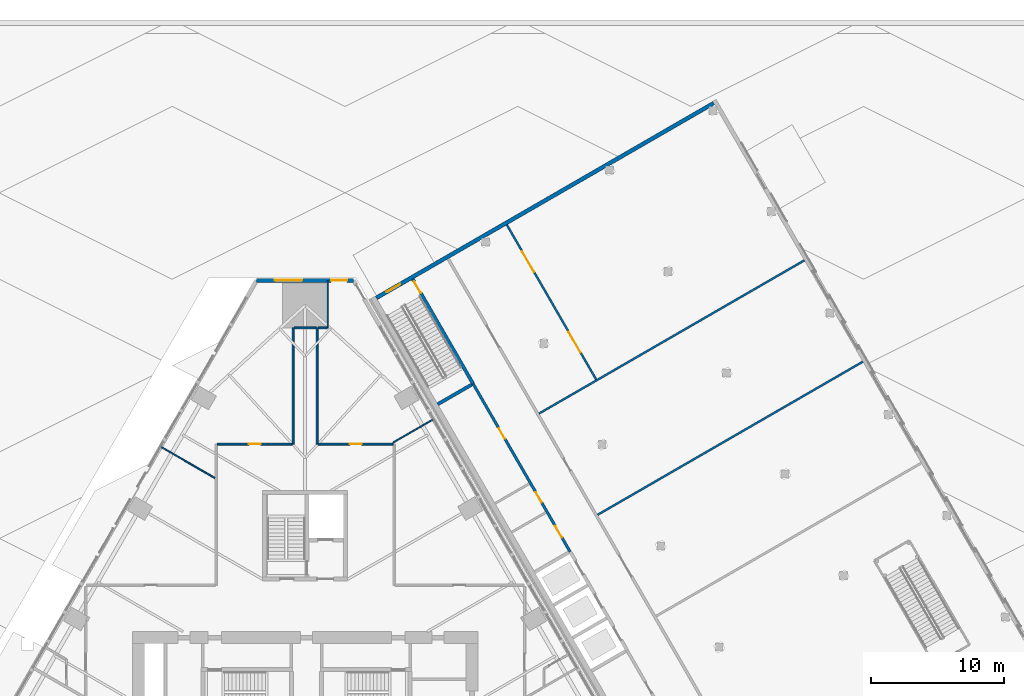
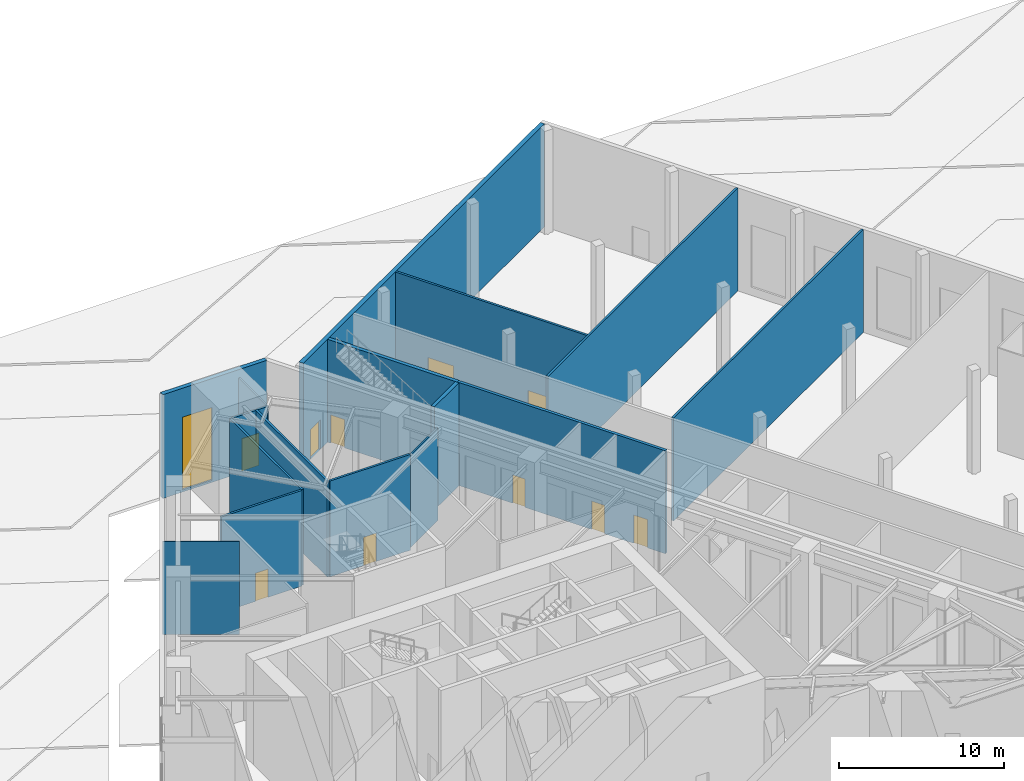
# One storey, part 18 of 34: 17 walls, 10 doors, 1 window, 11 openings.
"""IFC4 building model written with IfcOpenShell, lengths in metres."""

from ifc_helpers import new_model, si_unit, direction, frame, frame_2d, origin, place, context, subcontext, project, spatial, rectangle, extrude, material, layer, layer_set, type_object, element, fill, save


model = new_model("IFC4")

# Units and contexts
model_context = context("Model", 3, precision=1e-05, world=origin(), true_north=direction((0.0, 1.0)))
body_context = subcontext(model_context, "Body", "Model", "MODEL_VIEW")
ifc_project = project(units=[si_unit("LENGTHUNIT", "METRE"), si_unit("AREAUNIT", "SQUARE_METRE"), si_unit("VOLUMEUNIT", "CUBIC_METRE"), si_unit("PLANEANGLEUNIT", "RADIAN"), si_unit("MASSUNIT", "GRAM", prefix="KILO")], contexts=[model_context])

# Site, building, storey
site_placement = place(None, origin())
site = spatial("IfcSite", under=ifc_project, at=site_placement, CompositionType="ELEMENT")
building_placement = place(site_placement, origin())
building = spatial("IfcBuilding", under=site, at=building_placement, Name="Firuza Gate Tower and Library", CompositionType="ELEMENT")
storey_placement = place(building_placement, origin())
storey = spatial("IfcBuildingStorey", under=building, at=storey_placement, Name="L00", CompositionType="ELEMENT", Elevation=0.0)

# Wall, opening, door
ifc_material_1 = material(Name="Gypsum board partition")
ifc_layer_1 = layer(ifc_material_1, 0.14990234375)
ifc_layer_set_1 = layer_set([ifc_layer_1], Name="Corridor wall 150 double board on steel studs")
wall_type_1 = type_object("IfcWallType", Name="Corridor wall 150 double board on steel studs", PredefinedType="PARTITIONING", material=ifc_layer_set_1)
wall_1_placement = place(storey_placement, frame((68.37548828125, 98.10009765625, 0.0), z_axis=(0.0, 0.0, 1.0), x_axis=(1.0, 0.0, 0.0)))
wall_1 = element("IfcWall", 1, at=wall_1_placement, inside=storey, type_object=wall_type_1, Name="f:L00:w002", PredefinedType="PARTITIONING", context=body_context, shape_type="SweptSolid", body=[
    extrude(rectangle(XDim=5.6494140625, YDim=0.14990234375, at=frame_2d((2.82470703125, 0.0))), origin(), (0.0, 0.0, 1.0), 7.10009765625),
])
opening_1_placement = place(wall_1_placement, frame((2.374755859375, 0.0, 0.0)))
opening_1 = element("IfcOpeningElement", 2, at=opening_1_placement, cuts=wall_1, Name="Opening L00-03", PredefinedType="OPENING", context=body_context, shape_type="SweptSolid", body=[
    extrude(rectangle(XDim=0.89990234375, YDim=2.10009765625, at=frame_2d((0.449951171875, 1.050048828125))), frame((0.0, 0.0849609375, 0.0), z_axis=(0.0, -1.0, 0.0), x_axis=(1.0, 0.0, 0.0)), (0.0, 0.0, 1.0), 0.169921875),
])
ifc_material_2 = material(Name="Steel door and timber leaf", Category="steel")
door_type_1 = type_object("IfcDoorType", Name="Fire door 900 x 2100 steel frame, timber leaf", OperationType="NOTDEFINED", PredefinedType="DOOR", material=ifc_material_2)
door_1_placement = place(opening_1_placement, origin())
door_1 = element("IfcDoor", 3, at=door_1_placement, inside=storey, type_object=door_type_1, Name="f:L00:d003", OperationType="SINGLE_SWING_RIGHT", OverallHeight=2.10009765625, OverallWidth=0.89990234375, PredefinedType="DOOR", context=body_context, shape_type="SweptSolid", body=[
    extrude(rectangle(XDim=0.89990234375, YDim=2.10009765625, at=frame_2d((0.449951171875, 1.050048828125))), frame((0.0, 0.02490234375, 0.0), z_axis=(0.0, -1.0, 0.0), x_axis=(1.0, 0.0, 0.0)), (0.0, 0.0, 1.0), 0.050048828125),
])
fill(opening_1, door_1)

wall_2_placement = place(storey_placement, frame((75.97509765625, 98.10009765625, 0.0), z_axis=(0.0, 0.0, 1.0), x_axis=(1.0, 0.0, 0.0)))
wall_2 = element("IfcWall", 4, at=wall_2_placement, inside=storey, type_object=wall_type_1, Name="f:L00:w003", PredefinedType="PARTITIONING", context=body_context, shape_type="SweptSolid", body=[
    extrude(rectangle(XDim=5.6494140625, YDim=0.14990234375, at=frame_2d((2.82470703125, 0.0))), origin(), (0.0, 0.0, 1.0), 7.10009765625),
])
opening_2_placement = place(wall_2_placement, frame((2.37060546875, 0.0, 0.0)))
opening_2 = element("IfcOpeningElement", 5, at=opening_2_placement, cuts=wall_2, Name="Opening L00-04", PredefinedType="OPENING", context=body_context, shape_type="SweptSolid", body=[
    extrude(rectangle(XDim=0.89990234375, YDim=2.10009765625, at=frame_2d((0.449951171875, 1.050048828125))), frame((0.0, 0.0849609375, 0.0), z_axis=(0.0, -1.0, 0.0), x_axis=(1.0, 0.0, 0.0)), (0.0, 0.0, 1.0), 0.169921875),
])
door_2_placement = place(opening_2_placement, origin())
door_2 = element("IfcDoor", 6, at=door_2_placement, inside=storey, type_object=door_type_1, Name="f:L00:d004", OperationType="SINGLE_SWING_LEFT", OverallHeight=2.10009765625, OverallWidth=0.89990234375, PredefinedType="DOOR", context=body_context, shape_type="SweptSolid", body=[
    extrude(rectangle(XDim=0.89990234375, YDim=2.10009765625, at=frame_2d((0.449951171875, 1.050048828125))), frame((0.0, 0.02490234375, 0.0), z_axis=(0.0, -1.0, 0.0), x_axis=(1.0, 0.0, 0.0)), (0.0, 0.0, 1.0), 0.050048828125),
])
fill(opening_2, door_2)

# Walls
wall_3_placement = place(storey_placement, frame((74.175537109375, 106.833984375, 0.0), z_axis=(0.0, 0.0, 1.0), x_axis=(1.0, 0.0, 0.0)))
element("IfcWall", 7, at=wall_3_placement, inside=storey, type_object=wall_type_1, Name="f:L00:w004", PredefinedType="PARTITIONING", context=body_context, shape_type="SweptSolid", body=[
    extrude(rectangle(XDim=1.6494140625, YDim=0.14990234375, at=frame_2d((0.82470703125, 0.0))), origin(), (0.0, 0.0, 1.0), 7.096923828125),
])
wall_4_placement = place(storey_placement, frame((75.89990234375, 98.10009765625, 0.0), z_axis=(0.0, 0.0, 1.0), x_axis=(0.0, 1.0, 0.0)))
element("IfcWall", 8, at=wall_4_placement, inside=storey, type_object=wall_type_1, Name="f:L00:w020", PredefinedType="PARTITIONING", context=body_context, shape_type="SweptSolid", body=[
    extrude(rectangle(XDim=8.733642578125, YDim=0.14990234375, at=frame_2d((4.36669921875, 0.0))), origin(), (0.0, 0.0, 1.0), 7.10009765625),
])
wall_5_placement = place(storey_placement, frame((74.10009765625, 98.10009765625, 0.0), z_axis=(0.0, 0.0, 1.0), x_axis=(0.0, 1.0, 0.0)))
element("IfcWall", 9, at=wall_5_placement, inside=storey, type_object=wall_type_1, Name="f:L00:w021", PredefinedType="PARTITIONING", context=body_context, shape_type="SweptSolid", body=[
    extrude(rectangle(XDim=8.733154296875, YDim=0.14990234375, at=frame_2d((4.36669921875, 0.0))), origin(), (0.0, 0.0, 1.0), 7.10009765625),
])
wall_6_placement = place(storey_placement, frame((75.97509765625, 106.833984375, 0.0), z_axis=(0.0, 0.0, 1.0), x_axis=(1.0, 0.0, 0.0)))
element("IfcWall", 10, at=wall_6_placement, inside=storey, type_object=wall_type_1, Name="f:L00:w037", PredefinedType="PARTITIONING", context=body_context, shape_type="SweptSolid", body=[
    extrude(rectangle(XDim=0.67431640625, YDim=0.14990234375, at=frame_2d((0.337158203125, 0.0))), origin(), (0.0, 0.0, 1.0), 7.10009765625),
])

# Wall, openings, doors
ifc_material_3 = material(Name="Masonry block", Category="masonry")
ifc_layer_2 = layer(ifc_material_3, 0.199951171875)
ifc_layer_set_2 = layer_set([ifc_layer_2], Name="LIB CORRIDOR WALL 200")
wall_type_2 = type_object("IfcWallType", Name="LIB CORRIDOR WALL 200", PredefinedType="PARTITIONING", material=ifc_layer_set_2)
wall_7_placement = place(storey_placement, frame((94.929931640625, 89.99951171875, 0.0), z_axis=(0.0, 0.0, 1.0), x_axis=(-0.499997667785, 0.866026750285, 0.0)))
wall_7 = element("IfcWall", 11, at=wall_7_placement, inside=storey, type_object=wall_type_2, Name="L00 corr wall 7", PredefinedType="PARTITIONING", context=body_context, shape_type="SweptSolid", body=[
    extrude(rectangle(XDim=14.58984375, YDim=0.199951171875, at=frame_2d((7.294921875, 0.0))), origin(), (0.0, 0.0, 1.0), 7.639892578125),
])
opening_3_placement = place(wall_7_placement, frame((1.235107421875, 0.0, 0.0)))
opening_3 = element("IfcOpeningElement", 12, at=opening_3_placement, cuts=wall_7, Name="Opening LIB-D2-001", PredefinedType="OPENING", context=body_context, shape_type="SweptSolid", body=[
    extrude(rectangle(XDim=1.0, YDim=2.10009765625, at=frame_2d((0.5, 1.050048828125))), frame((0.0, 0.10986328125, 0.0), z_axis=(0.0, -1.0, 0.0), x_axis=(1.0, 0.0, 0.0)), (0.0, 0.0, 1.0), 0.219970703125),
])
opening_4_placement = place(wall_7_placement, frame((4.27490234375, 0.0, 0.0)))
opening_4 = element("IfcOpeningElement", 13, at=opening_4_placement, cuts=wall_7, Name="Opening LIB-D1-003", PredefinedType="OPENING", context=body_context, shape_type="SweptSolid", body=[
    extrude(rectangle(XDim=0.89990234375, YDim=2.10009765625, at=frame_2d((0.449951171875, 1.050048828125))), frame((0.0, 0.10986328125, 0.0), z_axis=(0.0, -1.0, 0.0), x_axis=(1.0, 0.0, 0.0)), (0.0, 0.0, 1.0), 0.219970703125),
])
opening_5_placement = place(wall_7_placement, frame((9.824951171875, 0.0, 0.0)))
opening_5 = element("IfcOpeningElement", 14, at=opening_5_placement, cuts=wall_7, Name="Opening LIB-D1-004", PredefinedType="OPENING", context=body_context, shape_type="SweptSolid", body=[
    extrude(rectangle(XDim=0.89990234375, YDim=2.10009765625, at=frame_2d((0.449951171875, 1.050048828125))), frame((0.0, 0.10986328125, 0.0), z_axis=(0.0, -1.0, 0.0), x_axis=(1.0, 0.0, 0.0)), (0.0, 0.0, 1.0), 0.219970703125),
])
ifc_material_4 = material(Name="Timber door leaf", Category="wood")
door_type_2 = type_object("IfcDoorType", Name="LIB DOOR 1000", OperationType="NOTDEFINED", PredefinedType="DOOR", material=ifc_material_4)
door_3_placement = place(opening_3_placement, origin())
door_3 = element("IfcDoor", 15, at=door_3_placement, inside=storey, type_object=door_type_2, Name="L00 door 5", OperationType="SINGLE_SWING_LEFT", OverallHeight=2.10009765625, OverallWidth=1.0, PredefinedType="DOOR", context=body_context, shape_type="SweptSolid", body=[
    extrude(rectangle(XDim=1.0, YDim=2.10009765625, at=frame_2d((0.5, 1.050048828125))), frame((0.0, 0.02490234375, 0.0), z_axis=(0.0, -1.0, 0.0), x_axis=(1.0, 0.0, 0.0)), (0.0, 0.0, 1.0), 0.050048828125),
])
fill(opening_3, door_3)
ifc_material_5 = material(Name="Timber door leaf", Category="wood")
door_type_3 = type_object("IfcDoorType", Name="LIB DOOR 900", OperationType="NOTDEFINED", PredefinedType="DOOR", material=ifc_material_5)
door_4_placement = place(opening_4_placement, origin())
door_4 = element("IfcDoor", 16, at=door_4_placement, inside=storey, type_object=door_type_3, Name="L00 door 6", OperationType="SINGLE_SWING_RIGHT", OverallHeight=2.10009765625, OverallWidth=0.89990234375, PredefinedType="DOOR", context=body_context, shape_type="SweptSolid", body=[
    extrude(rectangle(XDim=0.89990234375, YDim=2.10009765625, at=frame_2d((0.449951171875, 1.050048828125))), frame((0.0, 0.02490234375, 0.0), z_axis=(0.0, -1.0, 0.0), x_axis=(1.0, 0.0, 0.0)), (0.0, 0.0, 1.0), 0.050048828125),
])
fill(opening_4, door_4)
door_5_placement = place(opening_5_placement, origin())
door_5 = element("IfcDoor", 17, at=door_5_placement, inside=storey, type_object=door_type_3, Name="L00 door 10", OperationType="SINGLE_SWING_RIGHT", OverallHeight=2.10009765625, OverallWidth=0.89990234375, PredefinedType="DOOR", context=body_context, shape_type="SweptSolid", body=[
    extrude(rectangle(XDim=0.89990234375, YDim=2.10009765625, at=frame_2d((0.449951171875, 1.050048828125))), frame((0.0, 0.02490234375, 0.0), z_axis=(0.0, -1.0, 0.0), x_axis=(1.0, 0.0, 0.0)), (0.0, 0.0, 1.0), 0.050048828125),
])
fill(opening_5, door_5)

# Wall, opening, door
ifc_material_6 = material(Name="Concrete C30/37", Category="concrete")
ifc_layer_3 = layer(ifc_material_6, 0.300048828125)
ifc_layer_set_3 = layer_set([ifc_layer_3], Name="LIB EXTERNAL WALL 300")
wall_type_3 = type_object("IfcWallType", Name="LIB EXTERNAL WALL 300", PredefinedType="SOLIDWALL", material=ifc_layer_set_3)
wall_8_placement = place(storey_placement, frame((80.3544921875, 109.09521484375, 0.0), z_axis=(0.0, 0.0, 1.0), x_axis=(0.866026568746, 0.499997982221, 0.0)))
wall_8 = element("IfcWall", 18, at=wall_8_placement, inside=storey, type_object=wall_type_3, Name="L00 north wall", PredefinedType="SOLIDWALL", context=body_context, shape_type="SweptSolid", body=[
    extrude(rectangle(XDim=29.2998046875, YDim=0.300048828125, at=frame_2d((14.64990234375, 0.0))), origin(), (0.0, 0.0, 1.0), 7.639892578125),
])
opening_6_placement = place(wall_8_placement, frame((0.875, 0.0, 0.0)))
opening_6 = element("IfcOpeningElement", 19, at=opening_6_placement, cuts=wall_8, Name="Opening LIB-D5-001", PredefinedType="OPENING", context=body_context, shape_type="SweptSolid", body=[
    extrude(rectangle(XDim=1.199951171875, YDim=2.199951171875, at=frame_2d((0.60009765625, 1.10009765625))), frame((0.0, 0.16015625, 0.0), z_axis=(0.0, -1.0, 0.0), x_axis=(1.0, 0.0, 0.0)), (0.0, 0.0, 1.0), 0.320068359375),
])
ifc_material_7 = material(Name="Steel S235 door leaf", Category="steel")
door_type_4 = type_object("IfcDoorType", Name="LIB EXIT DOOR 1200", OperationType="NOTDEFINED", PredefinedType="DOOR", material=ifc_material_7)
door_6_placement = place(opening_6_placement, origin())
door_6 = element("IfcDoor", 20, at=door_6_placement, inside=storey, type_object=door_type_4, Name="L00 exit door A", OperationType="SINGLE_SWING_LEFT", OverallHeight=2.199951171875, OverallWidth=1.199951171875, PredefinedType="DOOR", context=body_context, shape_type="SweptSolid", body=[
    extrude(rectangle(XDim=1.199951171875, YDim=2.199951171875, at=frame_2d((0.60009765625, 1.10009765625))), frame((0.0, 0.02490234375, 0.0), z_axis=(0.0, -1.0, 0.0), x_axis=(1.0, 0.0, 0.0)), (0.0, 0.0, 1.0), 0.050048828125),
])
fill(opening_6, door_6)

# Walls
ifc_material_8 = material(Name="Gypsum board on steel studs", Category="steel")
ifc_layer_4 = layer(ifc_material_8, 0.14990234375)
ifc_layer_set_4 = layer_set([ifc_layer_4], Name="LIB PARTITION 150")
wall_type_4 = type_object("IfcWallType", Name="LIB PARTITION 150", PredefinedType="PARTITIONING", material=ifc_layer_set_4)
for number, where, z_axis, x_axis, name in (
    (21, (96.9921875, 92.77783203125, 0.0), (0.0, 0.0, 1.0), (0.866027547497, 0.499996286962, 0.0), "L00 part wall 21"),
    (22, (92.592041015625, 100.398681640625, 0.0), (0.0, 0.0, 1.0), (0.866022961126, 0.500004230785, 0.0), "L00 part wall 22"),
):
    element("IfcWall", number, at=place(storey_placement, frame(where, z_axis=z_axis, x_axis=x_axis)), inside=storey, type_object=wall_type_4, Name=name, PredefinedType="PARTITIONING", context=body_context, shape_type="SweptSolid", body=[
        extrude(rectangle(XDim=23.050048828125, YDim=0.14990234375, at=frame_2d((11.52490234375, 0.0))), origin(), (0.0, 0.0, 1.0), 7.639892578125),
    ])

# Wall, openings, doors
wall_9_placement = place(storey_placement, frame((96.884765625, 102.9638671875, 0.0), z_axis=(0.0, 0.0, 1.0), x_axis=(-0.500013677766, 0.866017506779, 0.0)))
wall_9 = element("IfcWall", 23, at=wall_9_placement, inside=storey, type_object=wall_type_4, Name="L00 part wall 23", PredefinedType="PARTITIONING", context=body_context, shape_type="SweptSolid", body=[
    extrude(rectangle(XDim=13.4248046875, YDim=0.14990234375, at=frame_2d((6.71240234375, 0.0))), origin(), (0.0, 0.0, 1.0), 7.639892578125),
])
opening_7_placement = place(wall_9_placement, frame((2.324951171875, 0.0, 0.0)))
opening_7 = element("IfcOpeningElement", 24, at=opening_7_placement, cuts=wall_9, Name="Opening LIB-D3-004", PredefinedType="OPENING", context=body_context, shape_type="SweptSolid", body=[
    extrude(rectangle(XDim=1.800048828125, YDim=2.10009765625, at=frame_2d((0.89990234375, 1.050048828125))), frame((0.0, 0.0849609375, 0.0), z_axis=(0.0, -1.0, 0.0), x_axis=(1.0, 0.0, 0.0)), (0.0, 0.0, 1.0), 0.169921875),
])
opening_8_placement = place(wall_9_placement, frame((9.324951171875, 0.0, 0.0)))
opening_8 = element("IfcOpeningElement", 25, at=opening_8_placement, cuts=wall_9, Name="Opening LIB-D3-005", PredefinedType="OPENING", context=body_context, shape_type="SweptSolid", body=[
    extrude(rectangle(XDim=1.800048828125, YDim=2.10009765625, at=frame_2d((0.89990234375, 1.050048828125))), frame((0.0, 0.0849609375, 0.0), z_axis=(0.0, -1.0, 0.0), x_axis=(1.0, 0.0, 0.0)), (0.0, 0.0, 1.0), 0.169921875),
])
ifc_material_9 = material(Name="Timber door leaf", Category="wood")
door_type_5 = type_object("IfcDoorType", Name="LIB DOUBLE DOOR 1800", OperationType="NOTDEFINED", PredefinedType="DOOR", material=ifc_material_9)
door_7_placement = place(opening_7_placement, origin())
door_7 = element("IfcDoor", 26, at=door_7_placement, inside=storey, type_object=door_type_5, Name="L00 door 16", OperationType="DOUBLE_DOOR_SINGLE_SWING", OverallHeight=2.10009765625, OverallWidth=1.800048828125, PredefinedType="DOOR", context=body_context, shape_type="SweptSolid", body=[
    extrude(rectangle(XDim=1.800048828125, YDim=2.10009765625, at=frame_2d((0.89990234375, 1.050048828125))), frame((0.0, 0.02490234375, 0.0), z_axis=(0.0, -1.0, 0.0), x_axis=(1.0, 0.0, 0.0)), (0.0, 0.0, 1.0), 0.050048828125),
])
fill(opening_7, door_7)
door_8_placement = place(opening_8_placement, origin())
door_8 = element("IfcDoor", 27, at=door_8_placement, inside=storey, type_object=door_type_5, Name="L00 door 17", OperationType="DOUBLE_DOOR_SINGLE_SWING", OverallHeight=2.10009765625, OverallWidth=1.800048828125, PredefinedType="DOOR", context=body_context, shape_type="SweptSolid", body=[
    extrude(rectangle(XDim=1.800048828125, YDim=2.10009765625, at=frame_2d((0.89990234375, 1.050048828125))), frame((0.0, 0.02490234375, 0.0), z_axis=(0.0, -1.0, 0.0), x_axis=(1.0, 0.0, 0.0)), (0.0, 0.0, 1.0), 0.050048828125),
])
fill(opening_8, door_8)

# Wall, opening, door
ifc_material_10 = material(Name="Concrete C40/50", Category="concrete")
ifc_layer_5 = layer(ifc_material_10, 0.25)
ifc_layer_set_5 = layer_set([ifc_layer_5], Name="LIB SHAFT WALL 250")
wall_type_5 = type_object("IfcWallType", Name="LIB SHAFT WALL 250", PredefinedType="SOLIDWALL", material=ifc_layer_set_5)
wall_10_placement = place(storey_placement, frame((87.635009765625, 102.634765625, 0.0), z_axis=(0.0, 0.0, 1.0), x_axis=(-0.499994616197, 0.866028512102, 0.0)))
wall_10 = element("IfcWall", 28, at=wall_10_placement, inside=storey, type_object=wall_type_5, Name="L00 shaft wall 4", PredefinedType="SOLIDWALL", context=body_context, shape_type="SweptSolid", body=[
    extrude(rectangle(XDim=9.0849609375, YDim=0.25, at=frame_2d((4.54248046875, 0.0))), origin(), (0.0, 0.0, 1.0), 7.639892578125),
])
opening_9_placement = place(wall_10_placement, frame((7.885009765625, 0.0, 0.0)))
opening_9 = element("IfcOpeningElement", 29, at=opening_9_placement, cuts=wall_10, Name="Opening LIB-D4-002", PredefinedType="OPENING", context=body_context, shape_type="SweptSolid", body=[
    extrude(rectangle(XDim=1.0, YDim=2.10009765625, at=frame_2d((0.5, 1.050048828125))), frame((0.0, 0.135009765625, 0.0), z_axis=(0.0, -1.0, 0.0), x_axis=(1.0, 0.0, 0.0)), (0.0, 0.0, 1.0), 0.27001953125),
])
ifc_material_11 = material(Name="Steel S235 door leaf", Category="steel")
door_type_6 = type_object("IfcDoorType", Name="LIB FIRE DOOR 1000", OperationType="NOTDEFINED", PredefinedType="DOOR", material=ifc_material_11)
door_9_placement = place(opening_9_placement, origin())
door_9 = element("IfcDoor", 30, at=door_9_placement, inside=storey, type_object=door_type_6, Name="L00 door 2", OperationType="SINGLE_SWING_RIGHT", OverallHeight=2.10009765625, OverallWidth=1.0, PredefinedType="DOOR", context=body_context, shape_type="SweptSolid", body=[
    extrude(rectangle(XDim=1.0, YDim=2.10009765625, at=frame_2d((0.5, 1.050048828125))), frame((0.0, 0.02490234375, 0.0), z_axis=(0.0, -1.0, 0.0), x_axis=(1.0, 0.0, 0.0)), (0.0, 0.0, 1.0), 0.050048828125),
])
fill(opening_9, door_9)

# Walls
wall_11_placement = place(storey_placement, frame((84.971923828125, 101.097412109375, 0.0), z_axis=(0.0, 0.0, 1.0), x_axis=(0.866039495442, 0.49997559174, 0.0)))
element("IfcWall", 31, at=wall_11_placement, inside=storey, type_object=wall_type_5, Name="L00 shaft wall 14", PredefinedType="SOLIDWALL", context=body_context, shape_type="SweptSolid", body=[
    extrude(rectangle(XDim=2.949951171875, YDim=0.25, at=frame_2d((1.47509765625, 0.0))), origin(), (0.0, 0.0, 1.0), 7.639892578125),
])
ifc_material_12 = material(Name="Gypsum board partition")
ifc_layer_6 = layer(ifc_material_12, 0.10009765625)
ifc_layer_set_6 = layer_set([ifc_layer_6], Name="Partition 100 gypsum board on steel studs")
wall_type_6 = type_object("IfcWallType", Name="Partition 100 gypsum board on steel studs", PredefinedType="PARTITIONING", material=ifc_layer_set_6)
wall_12_placement = place(storey_placement, frame((81.609619140625, 98.215087890625, 0.0), z_axis=(0.0, 0.0, 1.0), x_axis=(0.866004935796, 0.50003544992, 0.0)))
element("IfcWall", 32, at=wall_12_placement, inside=storey, type_object=wall_type_6, Name="f:L00:w012", PredefinedType="PARTITIONING", context=body_context, shape_type="SweptSolid", body=[
    extrude(rectangle(XDim=3.510986328125, YDim=0.10009765625, at=frame_2d((1.75537109375, 0.0))), origin(), (0.0, 0.0, 1.0), 6.864990234375),
])
wall_13_placement = place(storey_placement, frame((76.699951171875, 106.834228515625, 0.0), z_axis=(0.0, 0.0, 1.0), x_axis=(0.0, 1.0, 0.0)))
element("IfcWall", 33, at=wall_13_placement, inside=storey, type_object=wall_type_6, Name="f:L00:w019", PredefinedType="PARTITIONING", context=body_context, shape_type="SweptSolid", body=[
    extrude(rectangle(XDim=3.5595703125, YDim=0.10009765625, at=frame_2d((1.77978515625, 0.0))), origin(), (0.0, 0.0, 1.0), 7.10009765625),
])
wall_14_placement = place(storey_placement, frame((68.198974609375, 95.554443359375, 0.0), z_axis=(0.0, 0.0, 1.0), x_axis=(-0.866033412818, 0.49998612769, 0.0)))
element("IfcWall", 34, at=wall_14_placement, inside=storey, type_object=wall_type_6, Name="f:L00:w029", PredefinedType="PARTITIONING", context=body_context, shape_type="SweptSolid", body=[
    extrude(rectangle(XDim=4.675537109375, YDim=0.10009765625, at=frame_2d((2.337890625, 0.0))), origin(), (0.0, 0.0, 1.0), 6.864990234375),
])

# Wall, openings, door, window
ifc_material_13 = material(Name="Concrete C40/50", Category="concrete")
ifc_layer_7 = layer(ifc_material_13, 0.300048828125)
ifc_layer_set_7 = layer_set([ifc_layer_7], Name="Shopfront wall 300")
wall_type_7 = type_object("IfcWallType", Name="Shopfront wall 300", PredefinedType="SOLIDWALL", material=ifc_layer_set_7)
wall_15_placement = place(storey_placement, frame((78.65185546875, 110.423828125, 0.0), z_axis=(0.0, 0.0, 1.0), x_axis=(-1.0, 0.0, 0.0)))
wall_15 = element("IfcWall", 35, at=wall_15_placement, inside=storey, type_object=wall_type_7, Name="Shopfront wall 8", PredefinedType="SOLIDWALL", context=body_context, shape_type="SweptSolid", body=[
    extrude(rectangle(XDim=7.3037109375, YDim=0.300048828125, at=frame_2d((3.65185546875, 0.0))), origin(), (0.0, 0.0, 1.0), 7.699951171875),
])
opening_10_placement = place(wall_15_placement, frame((0.49560546875, 0.0, 0.0)))
opening_10 = element("IfcOpeningElement", 36, at=opening_10_placement, cuts=wall_15, Name="Opening DR5-002", PredefinedType="OPENING", context=body_context, shape_type="SweptSolid", body=[
    extrude(rectangle(XDim=1.199951171875, YDim=2.39990234375, at=frame_2d((0.60009765625, 1.199951171875))), frame((0.0, 0.16015625, 0.0), z_axis=(0.0, -1.0, 0.0), x_axis=(1.0, 0.0, 0.0)), (0.0, 0.0, 1.0), 0.320068359375),
])
opening_11_placement = place(wall_15_placement, frame((3.85205078125, 0.0, 0.14990234375)))
opening_11 = element("IfcOpeningElement", 37, at=opening_11_placement, cuts=wall_15, Name="Opening WD2-027", PredefinedType="OPENING", context=body_context, shape_type="SweptSolid", body=[
    extrude(rectangle(XDim=2.10009765625, YDim=5.39990234375, at=frame_2d((1.050048828125, 2.699951171875))), frame((0.0, 0.16015625, 0.0), z_axis=(0.0, -1.0, 0.0), x_axis=(1.0, 0.0, 0.0)), (0.0, 0.0, 1.0), 0.320068359375),
])
ifc_material_14 = material(Name="Steel S355 and ceramic coating", Category="steel")
door_type_7 = type_object("IfcDoorType", Name="Exit door 1200x2400", OperationType="NOTDEFINED", PredefinedType="DOOR", material=ifc_material_14)
door_10_placement = place(opening_10_placement, origin())
door_10 = element("IfcDoor", 38, at=door_10_placement, inside=storey, type_object=door_type_7, Name="Door DR5-8.1", OperationType="SINGLE_SWING_LEFT", OverallHeight=2.39990234375, OverallWidth=1.199951171875, PredefinedType="DOOR", context=body_context, shape_type="SweptSolid", body=[
    extrude(rectangle(XDim=1.199951171875, YDim=2.39990234375, at=frame_2d((0.60009765625, 1.199951171875))), frame((0.0, 0.02490234375, 0.0), z_axis=(0.0, -1.0, 0.0), x_axis=(1.0, 0.0, 0.0)), (0.0, 0.0, 1.0), 0.050048828125),
])
fill(opening_10, door_10)
ifc_material_15 = material(Name="Aluminium 6063-T6 and glass", Category="aluminium")
window_type = type_object("IfcWindowType", Name="Shopfront window 2100x5400", PartitioningType="SINGLE_PANEL", PredefinedType="WINDOW", material=ifc_material_15)
window_placement = place(opening_11_placement, origin())
window = element("IfcWindow", 39, at=window_placement, inside=storey, type_object=window_type, Name="e:wall:L00:7/W0", OverallHeight=5.39990234375, OverallWidth=2.10009765625, PartitioningType="SINGLE_PANEL", PredefinedType="WINDOW", context=body_context, shape_type="SweptSolid", body=[
    extrude(rectangle(XDim=2.10009765625, YDim=5.39990234375, at=frame_2d((1.050048828125, 2.699951171875))), frame((0.0, 0.030029296875, 0.0), z_axis=(0.0, -1.0, 0.0), x_axis=(1.0, 0.0, 0.0)), (0.0, 0.0, 1.0), 0.06005859375),
])
fill(opening_11, window)

save(model, "model.ifc")
